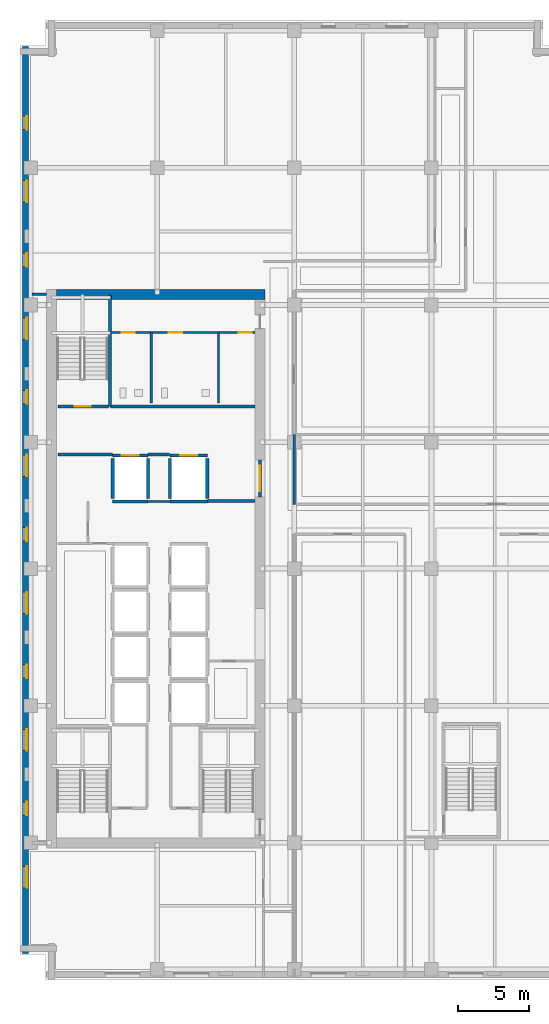
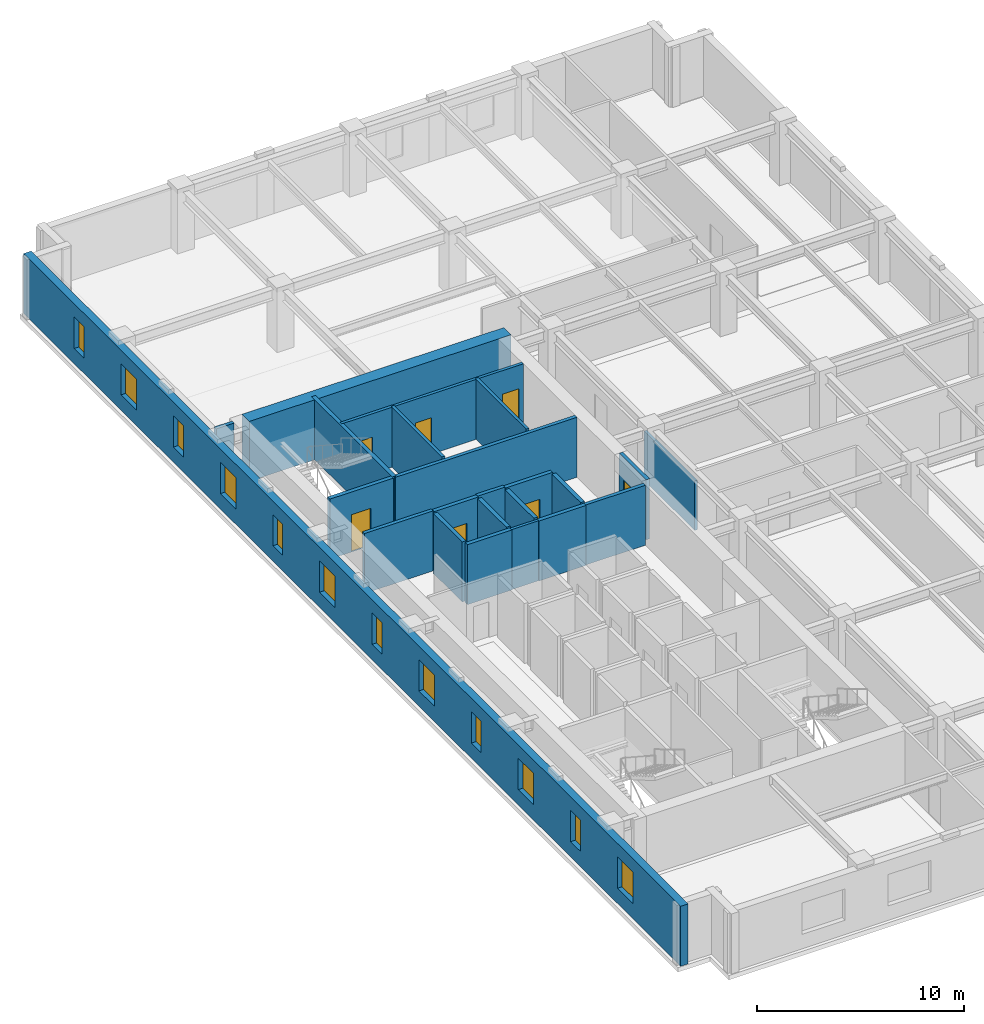
# One storey, part 6 of 14: 23 walls, 12 windows, 7 doors, 19 openings.
"""IFC4 building model written with IfcOpenShell, lengths in metres."""

import ifcopenshell
import ifcopenshell.guid

model = None  # the IFC model being written
_history = None  # IfcOwnerHistory: only IFC2X3 demands one
_inside = {}  # id of a spatial element -> (the spatial element, [elements in it])
_under = {}  # id of a project, library or spatial element -> (it, [spatial elements below it])
_declared = {}  # id of a project -> (the project, [libraries it declares])
_typed = {}  # id of a type object -> (the type object, [elements of that type])
_made_of = {}  # id of a material, layer set ... -> (it, [elements and type objects made of it])


def new_model(schema):
    """Start an empty IFC model of exactly this schema.

    Asked for "IFC4X3", IfcOpenShell would pick the latest addendum, in which some entities
    have other attributes; the version numbers below select the first issue.
    IFC2X3 requires an IfcOwnerHistory on every rooted entity: one is made here for all.
    """
    global model, _history
    if schema == "IFC4X3":
        model = ifcopenshell.file(schema_version=(4, 3, 0, 0))
    else:
        model = ifcopenshell.file(schema=schema)
    _inside.clear()
    _under.clear()
    _declared.clear()
    _typed.clear()
    _made_of.clear()
    _history = None
    if model.schema == "IFC2X3":
        org = make("IfcOrganization", Name="unknown")
        user = make(
            "IfcPersonAndOrganization",
            ThePerson=make("IfcPerson", FamilyName="unknown"),
            TheOrganization=org,
        )
        app = make(
            "IfcApplication",
            ApplicationDeveloper=org,
            Version="unknown",
            ApplicationFullName="unknown",
            ApplicationIdentifier="unknown",
        )
        _history = make(
            "IfcOwnerHistory",
            OwningUser=user,
            OwningApplication=app,
            ChangeAction="ADDED",
            CreationDate=0,
        )
    return model


def make(cls, **values):
    """One entity of the class cls with the attributes given. An attribute that is None is left unset."""
    return model.create_entity(
        cls, **{name: value for name, value in values.items() if value is not None}
    )


def rooted(cls, **values):
    """An entity with a GlobalId (a new one), such as an element, a storey or a relation."""
    return make(cls, GlobalId=ifcopenshell.guid.new(), OwnerHistory=_history, **values)


def si_unit(unit_type, name, prefix=None):
    """IfcSIUnit, for example si_unit("LENGTHUNIT", "METRE", prefix="MILLI")."""
    return make("IfcSIUnit", UnitType=unit_type, Prefix=prefix, Name=name)


def assignment(units):
    """IfcUnitAssignment: the units of a project."""
    return None if units is None else make("IfcUnitAssignment", Units=units)


def point(xyz):
    """IfcCartesianPoint."""
    return None if xyz is None else make("IfcCartesianPoint", Coordinates=xyz)


def direction(xyz):
    """IfcDirection."""
    return None if xyz is None else make("IfcDirection", DirectionRatios=xyz)


def frame(location, z_axis=None, x_axis=None):
    """IfcAxis2Placement3D, a coordinate frame: its origin and axes. An axis left out is left unset."""
    return make(
        "IfcAxis2Placement3D",
        Location=point(location),
        Axis=direction(z_axis),
        RefDirection=direction(x_axis),
    )


def frame_2d(location, x_axis=None):
    """IfcAxis2Placement2D, a coordinate frame in the plane: its origin and x axis."""
    return make(
        "IfcAxis2Placement2D", Location=point(location), RefDirection=direction(x_axis)
    )


def origin():
    """The frame at (0, 0, 0) with its axes left unset."""
    return frame((0.0, 0.0, 0.0))


def place(relative_to, where):
    """IfcLocalPlacement: puts the frame where relative to a parent placement (None: the world)."""
    return make(
        "IfcLocalPlacement", PlacementRelTo=relative_to, RelativePlacement=where
    )


def context(
    kind, dimensions, precision=None, world=None, true_north=None, identifier=None
):
    """IfcGeometricRepresentationContext, for example the 3D "Model" context."""
    return make(
        "IfcGeometricRepresentationContext",
        ContextIdentifier=identifier,
        ContextType=kind,
        CoordinateSpaceDimension=dimensions,
        Precision=precision,
        WorldCoordinateSystem=world,
        TrueNorth=true_north,
    )


def subcontext(parent, identifier, kind, view, scale=None):
    """IfcGeometricRepresentationSubContext, for example "Body" below "Model"."""
    return make(
        "IfcGeometricRepresentationSubContext",
        ContextIdentifier=identifier,
        ContextType=kind,
        ParentContext=parent,
        TargetScale=scale,
        TargetView=view,
    )


def project(units=None, contexts=None):
    """IfcProject with its units and contexts."""
    return rooted(
        "IfcProject",
        Name="project",
        RepresentationContexts=contexts,
        UnitsInContext=assignment(units),
    )


def spatial(cls, under=None, at=None, **own):
    """A site, building, storey or space (cls), placed at a placement, below another one or the project."""
    s = rooted(cls, ObjectPlacement=at, **own)
    if under is not None:
        _under.setdefault(under.id(), (under, []))[1].append(s)
    return s


def profile(cls, at=None, kind="AREA", **sizes):
    """A parametric profile (cls). Its sizes go by their IFC names, for example OverallWidth=200.0."""
    return make(cls, ProfileType=kind, Position=at, **sizes)


def rectangle(**sizes):
    """IfcRectangleProfileDef."""
    return profile("IfcRectangleProfileDef", **sizes)


def extrude(swept, where, along, depth):
    """IfcExtrudedAreaSolid: the profile swept, set in the frame where, extruded along a direction by depth."""
    return make(
        "IfcExtrudedAreaSolid",
        SweptArea=swept,
        Position=where,
        ExtrudedDirection=direction(along),
        Depth=depth,
    )


def shape(context_of_items, identifier, shape_type, items):
    """IfcShapeRepresentation: the items that make up one representation, for example the "Body"."""
    return make(
        "IfcShapeRepresentation",
        ContextOfItems=context_of_items,
        RepresentationIdentifier=identifier,
        RepresentationType=shape_type,
        Items=items,
    )


def material(Name=None, Category=None):
    """IfcMaterial."""
    return make("IfcMaterial", Name=Name, Category=Category)


def layer(
    of_material, thickness, ventilated=None, Name=None, Category=None, Priority=None
):
    """IfcMaterialLayer: one layer of a wall or slab, of a material (None: an air gap)."""
    return make(
        "IfcMaterialLayer",
        Material=of_material,
        LayerThickness=thickness,
        IsVentilated=ventilated,
        Name=Name,
        Category=Category,
        Priority=Priority,
    )


def layer_set(layers, Name=None):
    """IfcMaterialLayerSet."""
    return make("IfcMaterialLayerSet", MaterialLayers=layers, LayerSetName=Name)


def made_of(thing, what):
    """Note that an element or type object is made of a material, layer set ...; save() writes the relation."""
    if what is not None:
        _made_of.setdefault(what.id(), (what, []))[1].append(thing)
    return thing


def type_object(cls, material=None, **own):
    """A type object (cls), such as IfcWallType, which elements share."""
    return made_of(rooted(cls, **own), material)


def element(
    cls,
    number,
    at=None,
    inside=None,
    cuts=None,
    type_object=None,
    material=None,
    context=None,
    identifier="Body",
    shape_type=None,
    held_by="IfcProductDefinitionShape",
    body=None,
    shapes=None,
    **own,
):
    """One element of the class cls, such as IfcWall. Its Tag is "e" and its number.

    at: its placement. inside: the storey or other place that contains it. cuts: it is an
    opening in that element (IfcRelVoidsElement). A single representation is given by context,
    identifier, shape_type and body (its items); several are given by shapes. held_by: the class
    of the entity that holds the representations. save() writes the other relations.
    """
    e = rooted(cls, Tag="e%d" % number, ObjectPlacement=at, **own)
    if body is not None:
        shapes = [shape(context, identifier, shape_type, body)]
    if shapes is not None:
        e.Representation = make(held_by, Representations=shapes)
    if inside is not None:
        _inside.setdefault(inside.id(), (inside, []))[1].append(e)
    if cuts is not None:
        rooted(
            "IfcRelVoidsElement", RelatingBuildingElement=cuts, RelatedOpeningElement=e
        )
    if type_object is not None:
        _typed.setdefault(type_object.id(), (type_object, []))[1].append(e)
    return made_of(e, material)


def fill(opening, filler):
    """IfcRelFillsElement: the door or window that sits in an opening."""
    return rooted(
        "IfcRelFillsElement",
        RelatingOpeningElement=opening,
        RelatedBuildingElement=filler,
    )


def aggregate(whole, parts):
    """IfcRelAggregates: a whole, such as a stair, and the parts it consists of."""
    return rooted("IfcRelAggregates", RelatingObject=whole, RelatedObjects=parts)


def save(model, path):
    """Write the relations noted so far, then the file.

    IfcRelAggregates (storeys below a building ...), IfcRelContainedInSpatialStructure (elements
    in a storey), IfcRelDefinesByType, IfcRelAssociatesMaterial and IfcRelDeclares: one each for
    every whole, place, type object, material and project.
    """
    for whole, parts in _under.values():
        aggregate(whole, parts)
    for where, things in _inside.values():
        rooted(
            "IfcRelContainedInSpatialStructure",
            RelatedElements=things,
            RelatingStructure=where,
        )
    for kind, things in _typed.values():
        rooted("IfcRelDefinesByType", RelatedObjects=things, RelatingType=kind)
    for what, things in _made_of.values():
        rooted("IfcRelAssociatesMaterial", RelatedObjects=things, RelatingMaterial=what)
    for by, libraries in _declared.values():
        rooted("IfcRelDeclares", RelatingContext=by, RelatedDefinitions=libraries)
    model.write(path)


model = new_model("IFC4")

# Units and contexts
model_context = context("Model", 3, precision=1e-05, world=origin(), true_north=direction((0.0, 1.0)))
body_context = subcontext(model_context, "Body", "Model", "MODEL_VIEW")
ifc_project = project(units=[si_unit("LENGTHUNIT", "METRE"), si_unit("AREAUNIT", "SQUARE_METRE"), si_unit("VOLUMEUNIT", "CUBIC_METRE"), si_unit("PLANEANGLEUNIT", "RADIAN"), si_unit("MASSUNIT", "GRAM", prefix="KILO")], contexts=[model_context])

# Site, building, storey
site_placement = place(None, origin())
site = spatial("IfcSite", under=ifc_project, at=site_placement, CompositionType="ELEMENT")
building_placement = place(site_placement, origin())
building = spatial("IfcBuilding", under=site, at=building_placement, Name="Norrvale University Quadrangle", CompositionType="ELEMENT")
storey_placement = place(building_placement, frame((0.0, 0.0, 156.0)))
storey = spatial("IfcBuildingStorey", under=building, at=storey_placement, Name="L39", CompositionType="ELEMENT", Elevation=156.0)

# Wall, openings, windows
ifc_material_1 = material(Name="Buff Norman Clay Brick Masonry", Category="masonry")
ifc_layer_1 = layer(ifc_material_1, 0.419921875, Name="Buff Norman Clay Brick Masonry")
ifc_layer_set_1 = layer_set([ifc_layer_1], Name="Buff Norman Clay Brick Masonry")
wall_type_1 = type_object("IfcWallType", Name="Wall Buff Brick 420", PredefinedType="SOLIDWALL", material=ifc_layer_set_1)
wall_1_placement = place(storey_placement, frame((0.389892578125, 65.360107421875, 0.0), z_axis=(0.0, 0.0, 1.0), x_axis=(0.0, -1.0, 0.0)))
wall_1 = element("IfcWall", 1, at=wall_1_placement, inside=storey, type_object=wall_type_1, Name="Exterior Brick Facade Wall L39-14.1", PredefinedType="SOLIDWALL", context=body_context, shape_type="SweptSolid", body=[
    extrude(rectangle(XDim=63.52001953125, YDim=0.419921875, at=frame_2d((31.760009765625, 0.0))), origin(), (0.0, 0.0, 1.0), 3.5400390625),
])
opening_1_placement = place(wall_1_placement, frame((4.885009765625, 0.0, 0.89990234375)))
opening_1 = element("IfcOpeningElement", 2, at=opening_1_placement, cuts=wall_1, Name="Opening W04", PredefinedType="OPENING", context=body_context, shape_type="SweptSolid", body=[
    extrude(rectangle(XDim=0.949951171875, YDim=1.85009765625, at=frame_2d((0.47509765625, 0.925048828125))), frame((0.0, 0.221923828125, 0.0), z_axis=(0.0, -1.0, 0.0), x_axis=(1.0, 0.0, 0.0)), (0.0, 0.0, 1.0), 0.44384765625),
])
opening_2_placement = place(wall_1_placement, frame((9.409912109375, 0.0, 0.89990234375)))
opening_2 = element("IfcOpeningElement", 3, at=opening_2_placement, cuts=wall_1, Name="Opening W03", PredefinedType="OPENING", context=body_context, shape_type="SweptSolid", body=[
    extrude(rectangle(XDim=1.5, YDim=1.85009765625, at=frame_2d((0.75, 0.925048828125))), frame((0.0, 0.221923828125, 0.0), z_axis=(0.0, -1.0, 0.0), x_axis=(1.0, 0.0, 0.0)), (0.0, 0.0, 1.0), 0.44384765625),
])
opening_3_placement = place(wall_1_placement, frame((14.485107421875, 0.0, 0.89990234375)))
opening_3 = element("IfcOpeningElement", 4, at=opening_3_placement, cuts=wall_1, Name="Opening W04", PredefinedType="OPENING", context=body_context, shape_type="SweptSolid", body=[
    extrude(rectangle(XDim=0.949951171875, YDim=1.85009765625, at=frame_2d((0.47509765625, 0.925048828125))), frame((0.0, 0.221923828125, 0.0), z_axis=(0.0, -1.0, 0.0), x_axis=(1.0, 0.0, 0.0)), (0.0, 0.0, 1.0), 0.44384765625),
])
opening_4_placement = place(wall_1_placement, frame((19.010009765625, 0.0, 0.89990234375)))
opening_4 = element("IfcOpeningElement", 5, at=opening_4_placement, cuts=wall_1, Name="Opening W03", PredefinedType="OPENING", context=body_context, shape_type="SweptSolid", body=[
    extrude(rectangle(XDim=1.5, YDim=1.85009765625, at=frame_2d((0.75, 0.925048828125))), frame((0.0, 0.221923828125, 0.0), z_axis=(0.0, -1.0, 0.0), x_axis=(1.0, 0.0, 0.0)), (0.0, 0.0, 1.0), 0.44384765625),
])
opening_5_placement = place(wall_1_placement, frame((24.0849609375, 0.0, 0.89990234375)))
opening_5 = element("IfcOpeningElement", 6, at=opening_5_placement, cuts=wall_1, Name="Opening W04", PredefinedType="OPENING", context=body_context, shape_type="SweptSolid", body=[
    extrude(rectangle(XDim=0.949951171875, YDim=1.85009765625, at=frame_2d((0.47509765625, 0.925048828125))), frame((0.0, 0.221923828125, 0.0), z_axis=(0.0, -1.0, 0.0), x_axis=(1.0, 0.0, 0.0)), (0.0, 0.0, 1.0), 0.44384765625),
])
opening_6_placement = place(wall_1_placement, frame((28.610107421875, 0.0, 0.89990234375)))
opening_6 = element("IfcOpeningElement", 7, at=opening_6_placement, cuts=wall_1, Name="Opening W03", PredefinedType="OPENING", context=body_context, shape_type="SweptSolid", body=[
    extrude(rectangle(XDim=1.5, YDim=1.85009765625, at=frame_2d((0.75, 0.925048828125))), frame((0.0, 0.221923828125, 0.0), z_axis=(0.0, -1.0, 0.0), x_axis=(1.0, 0.0, 0.0)), (0.0, 0.0, 1.0), 0.44384765625),
])
opening_7_placement = place(wall_1_placement, frame((33.68505859375, 0.0, 0.89990234375)))
opening_7 = element("IfcOpeningElement", 8, at=opening_7_placement, cuts=wall_1, Name="Opening W04", PredefinedType="OPENING", context=body_context, shape_type="SweptSolid", body=[
    extrude(rectangle(XDim=0.949951171875, YDim=1.85009765625, at=frame_2d((0.47509765625, 0.925048828125))), frame((0.0, 0.221923828125, 0.0), z_axis=(0.0, -1.0, 0.0), x_axis=(1.0, 0.0, 0.0)), (0.0, 0.0, 1.0), 0.44384765625),
])
opening_8_placement = place(wall_1_placement, frame((38.2099609375, 0.0, 0.89990234375)))
opening_8 = element("IfcOpeningElement", 9, at=opening_8_placement, cuts=wall_1, Name="Opening W03", PredefinedType="OPENING", context=body_context, shape_type="SweptSolid", body=[
    extrude(rectangle(XDim=1.5, YDim=1.85009765625, at=frame_2d((0.75, 0.925048828125))), frame((0.0, 0.221923828125, 0.0), z_axis=(0.0, -1.0, 0.0), x_axis=(1.0, 0.0, 0.0)), (0.0, 0.0, 1.0), 0.44384765625),
])
opening_9_placement = place(wall_1_placement, frame((43.284912109375, 0.0, 0.89990234375)))
opening_9 = element("IfcOpeningElement", 10, at=opening_9_placement, cuts=wall_1, Name="Opening W04", PredefinedType="OPENING", context=body_context, shape_type="SweptSolid", body=[
    extrude(rectangle(XDim=0.949951171875, YDim=1.85009765625, at=frame_2d((0.47509765625, 0.925048828125))), frame((0.0, 0.221923828125, 0.0), z_axis=(0.0, -1.0, 0.0), x_axis=(1.0, 0.0, 0.0)), (0.0, 0.0, 1.0), 0.44384765625),
])
opening_10_placement = place(wall_1_placement, frame((47.81005859375, 0.0, 0.89990234375)))
opening_10 = element("IfcOpeningElement", 11, at=opening_10_placement, cuts=wall_1, Name="Opening W03", PredefinedType="OPENING", context=body_context, shape_type="SweptSolid", body=[
    extrude(rectangle(XDim=1.5, YDim=1.85009765625, at=frame_2d((0.75, 0.925048828125))), frame((0.0, 0.221923828125, 0.0), z_axis=(0.0, -1.0, 0.0), x_axis=(1.0, 0.0, 0.0)), (0.0, 0.0, 1.0), 0.44384765625),
])
opening_11_placement = place(wall_1_placement, frame((52.885009765625, 0.0, 0.89990234375)))
opening_11 = element("IfcOpeningElement", 12, at=opening_11_placement, cuts=wall_1, Name="Opening W04", PredefinedType="OPENING", context=body_context, shape_type="SweptSolid", body=[
    extrude(rectangle(XDim=0.949951171875, YDim=1.85009765625, at=frame_2d((0.47509765625, 0.925048828125))), frame((0.0, 0.221923828125, 0.0), z_axis=(0.0, -1.0, 0.0), x_axis=(1.0, 0.0, 0.0)), (0.0, 0.0, 1.0), 0.44384765625),
])
opening_12_placement = place(wall_1_placement, frame((57.409912109375, 0.0, 0.89990234375)))
opening_12 = element("IfcOpeningElement", 13, at=opening_12_placement, cuts=wall_1, Name="Opening W03", PredefinedType="OPENING", context=body_context, shape_type="SweptSolid", body=[
    extrude(rectangle(XDim=1.5, YDim=1.85009765625, at=frame_2d((0.75, 0.925048828125))), frame((0.0, 0.221923828125, 0.0), z_axis=(0.0, -1.0, 0.0), x_axis=(1.0, 0.0, 0.0)), (0.0, 0.0, 1.0), 0.44384765625),
])
ifc_material_2 = material(Name="Triple Low-E Argon Glazing", Category="glass")
window_type_1 = type_object("IfcWindowType", Name="Window Narrow Pier 950x2300", PartitioningType="SINGLE_PANEL", PredefinedType="WINDOW", material=ifc_material_2)
window_1_placement = place(opening_1_placement, origin())
window_1 = element("IfcWindow", 14, at=window_1_placement, inside=storey, type_object=window_type_1, Name="Window Narrow Pier 950x2300 WIN-L39-E14-1-01", OverallHeight=1.85009765625, OverallWidth=0.949951171875, PartitioningType="SINGLE_PANEL", PredefinedType="WINDOW", context=body_context, shape_type="SweptSolid", body=[
    extrude(rectangle(XDim=0.949951171875, YDim=1.85009765625, at=frame_2d((0.47509765625, 0.925048828125))), frame((0.0, 0.110107421875, 0.0), z_axis=(0.0, -1.0, 0.0), x_axis=(1.0, 0.0, 0.0)), (0.0, 0.0, 1.0), 0.06005859375),
])
fill(opening_1, window_1)
window_2_placement = place(opening_3_placement, origin())
window_2 = element("IfcWindow", 15, at=window_2_placement, inside=storey, type_object=window_type_1, Name="Window Narrow Pier 950x2300 WIN-L39-E14-1-03", OverallHeight=1.85009765625, OverallWidth=0.949951171875, PartitioningType="SINGLE_PANEL", PredefinedType="WINDOW", context=body_context, shape_type="SweptSolid", body=[
    extrude(rectangle(XDim=0.949951171875, YDim=1.85009765625, at=frame_2d((0.47509765625, 0.925048828125))), frame((0.0, 0.110107421875, 0.0), z_axis=(0.0, -1.0, 0.0), x_axis=(1.0, 0.0, 0.0)), (0.0, 0.0, 1.0), 0.06005859375),
])
fill(opening_3, window_2)
window_3_placement = place(opening_5_placement, origin())
window_3 = element("IfcWindow", 16, at=window_3_placement, inside=storey, type_object=window_type_1, Name="Window Narrow Pier 950x2300 WIN-L39-E14-1-05", OverallHeight=1.85009765625, OverallWidth=0.949951171875, PartitioningType="SINGLE_PANEL", PredefinedType="WINDOW", context=body_context, shape_type="SweptSolid", body=[
    extrude(rectangle(XDim=0.949951171875, YDim=1.85009765625, at=frame_2d((0.47509765625, 0.925048828125))), frame((0.0, 0.110107421875, 0.0), z_axis=(0.0, -1.0, 0.0), x_axis=(1.0, 0.0, 0.0)), (0.0, 0.0, 1.0), 0.06005859375),
])
fill(opening_5, window_3)
window_4_placement = place(opening_7_placement, origin())
window_4 = element("IfcWindow", 17, at=window_4_placement, inside=storey, type_object=window_type_1, Name="Window Narrow Pier 950x2300 WIN-L39-E14-1-07", OverallHeight=1.85009765625, OverallWidth=0.949951171875, PartitioningType="SINGLE_PANEL", PredefinedType="WINDOW", context=body_context, shape_type="SweptSolid", body=[
    extrude(rectangle(XDim=0.949951171875, YDim=1.85009765625, at=frame_2d((0.47509765625, 0.925048828125))), frame((0.0, 0.110107421875, 0.0), z_axis=(0.0, -1.0, 0.0), x_axis=(1.0, 0.0, 0.0)), (0.0, 0.0, 1.0), 0.06005859375),
])
fill(opening_7, window_4)
window_5_placement = place(opening_9_placement, origin())
window_5 = element("IfcWindow", 18, at=window_5_placement, inside=storey, type_object=window_type_1, Name="Window Narrow Pier 950x2300 WIN-L39-E14-1-09", OverallHeight=1.85009765625, OverallWidth=0.949951171875, PartitioningType="SINGLE_PANEL", PredefinedType="WINDOW", context=body_context, shape_type="SweptSolid", body=[
    extrude(rectangle(XDim=0.949951171875, YDim=1.85009765625, at=frame_2d((0.47509765625, 0.925048828125))), frame((0.0, 0.110107421875, 0.0), z_axis=(0.0, -1.0, 0.0), x_axis=(1.0, 0.0, 0.0)), (0.0, 0.0, 1.0), 0.06005859375),
])
fill(opening_9, window_5)
window_6_placement = place(opening_11_placement, origin())
window_6 = element("IfcWindow", 19, at=window_6_placement, inside=storey, type_object=window_type_1, Name="Window Narrow Pier 950x2300 WIN-L39-E14-1-11", OverallHeight=1.85009765625, OverallWidth=0.949951171875, PartitioningType="SINGLE_PANEL", PredefinedType="WINDOW", context=body_context, shape_type="SweptSolid", body=[
    extrude(rectangle(XDim=0.949951171875, YDim=1.85009765625, at=frame_2d((0.47509765625, 0.925048828125))), frame((0.0, 0.110107421875, 0.0), z_axis=(0.0, -1.0, 0.0), x_axis=(1.0, 0.0, 0.0)), (0.0, 0.0, 1.0), 0.06005859375),
])
fill(opening_11, window_6)
window_type_2 = type_object("IfcWindowType", Name="Window Studio 1500x2300", PartitioningType="DOUBLE_PANEL_VERTICAL", PredefinedType="WINDOW", material=ifc_material_2)
window_7_placement = place(opening_2_placement, origin())
window_7 = element("IfcWindow", 20, at=window_7_placement, inside=storey, type_object=window_type_2, Name="Window Studio 1500x2300 WIN-L39-E14-1-02", OverallHeight=1.85009765625, OverallWidth=1.5, PartitioningType="DOUBLE_PANEL_VERTICAL", PredefinedType="WINDOW", context=body_context, shape_type="SweptSolid", body=[
    extrude(rectangle(XDim=1.5, YDim=1.85009765625, at=frame_2d((0.75, 0.925048828125))), frame((0.0, 0.110107421875, 0.0), z_axis=(0.0, -1.0, 0.0), x_axis=(1.0, 0.0, 0.0)), (0.0, 0.0, 1.0), 0.06005859375),
])
fill(opening_2, window_7)
window_8_placement = place(opening_4_placement, origin())
window_8 = element("IfcWindow", 21, at=window_8_placement, inside=storey, type_object=window_type_2, Name="Window Studio 1500x2300 WIN-L39-E14-1-04", OverallHeight=1.85009765625, OverallWidth=1.5, PartitioningType="DOUBLE_PANEL_VERTICAL", PredefinedType="WINDOW", context=body_context, shape_type="SweptSolid", body=[
    extrude(rectangle(XDim=1.5, YDim=1.85009765625, at=frame_2d((0.75, 0.925048828125))), frame((0.0, 0.110107421875, 0.0), z_axis=(0.0, -1.0, 0.0), x_axis=(1.0, 0.0, 0.0)), (0.0, 0.0, 1.0), 0.06005859375),
])
fill(opening_4, window_8)
window_9_placement = place(opening_6_placement, origin())
window_9 = element("IfcWindow", 22, at=window_9_placement, inside=storey, type_object=window_type_2, Name="Window Studio 1500x2300 WIN-L39-E14-1-06", OverallHeight=1.85009765625, OverallWidth=1.5, PartitioningType="DOUBLE_PANEL_VERTICAL", PredefinedType="WINDOW", context=body_context, shape_type="SweptSolid", body=[
    extrude(rectangle(XDim=1.5, YDim=1.85009765625, at=frame_2d((0.75, 0.925048828125))), frame((0.0, 0.110107421875, 0.0), z_axis=(0.0, -1.0, 0.0), x_axis=(1.0, 0.0, 0.0)), (0.0, 0.0, 1.0), 0.06005859375),
])
fill(opening_6, window_9)
window_10_placement = place(opening_8_placement, origin())
window_10 = element("IfcWindow", 23, at=window_10_placement, inside=storey, type_object=window_type_2, Name="Window Studio 1500x2300 WIN-L39-E14-1-08", OverallHeight=1.85009765625, OverallWidth=1.5, PartitioningType="DOUBLE_PANEL_VERTICAL", PredefinedType="WINDOW", context=body_context, shape_type="SweptSolid", body=[
    extrude(rectangle(XDim=1.5, YDim=1.85009765625, at=frame_2d((0.75, 0.925048828125))), frame((0.0, 0.110107421875, 0.0), z_axis=(0.0, -1.0, 0.0), x_axis=(1.0, 0.0, 0.0)), (0.0, 0.0, 1.0), 0.06005859375),
])
fill(opening_8, window_10)
window_11_placement = place(opening_10_placement, origin())
window_11 = element("IfcWindow", 24, at=window_11_placement, inside=storey, type_object=window_type_2, Name="Window Studio 1500x2300 WIN-L39-E14-1-10", OverallHeight=1.85009765625, OverallWidth=1.5, PartitioningType="DOUBLE_PANEL_VERTICAL", PredefinedType="WINDOW", context=body_context, shape_type="SweptSolid", body=[
    extrude(rectangle(XDim=1.5, YDim=1.85009765625, at=frame_2d((0.75, 0.925048828125))), frame((0.0, 0.110107421875, 0.0), z_axis=(0.0, -1.0, 0.0), x_axis=(1.0, 0.0, 0.0)), (0.0, 0.0, 1.0), 0.06005859375),
])
fill(opening_10, window_11)
window_12_placement = place(opening_12_placement, origin())
window_12 = element("IfcWindow", 25, at=window_12_placement, inside=storey, type_object=window_type_2, Name="Window Studio 1500x2300 WIN-L39-E14-1-12", OverallHeight=1.85009765625, OverallWidth=1.5, PartitioningType="DOUBLE_PANEL_VERTICAL", PredefinedType="WINDOW", context=body_context, shape_type="SweptSolid", body=[
    extrude(rectangle(XDim=1.5, YDim=1.85009765625, at=frame_2d((0.75, 0.925048828125))), frame((0.0, 0.110107421875, 0.0), z_axis=(0.0, -1.0, 0.0), x_axis=(1.0, 0.0, 0.0)), (0.0, 0.0, 1.0), 0.06005859375),
])
fill(opening_12, window_12)

# Walls
ifc_material_3 = material(Name="Concrete C60/75", Category="concrete")
ifc_layer_2 = layer(ifc_material_3, 0.699951171875, Name="Concrete C60/75")
ifc_layer_set_2 = layer_set([ifc_layer_2], Name="Concrete C60/75")
wall_type_2 = type_object("IfcWallType", Name="Wall Core 700", PredefinedType="SHEAR", material=ifc_layer_set_2)
wall_2_placement = place(storey_placement, frame((2.550048828125, 48.0, 0.0), z_axis=(0.0, 0.0, 1.0), x_axis=(1.0, 0.0, 0.0)))
element("IfcWall", 26, at=wall_2_placement, inside=storey, type_object=wall_type_2, Name="Tower Core Shear Wall L39-N", PredefinedType="SHEAR", context=body_context, shape_type="SweptSolid", body=[
    extrude(rectangle(XDim=14.599853515625, YDim=0.699951171875, at=frame_2d((7.2998046875, 0.0))), origin(), (0.0, 0.0, 1.0), 3.5400390625),
])
ifc_material_4 = material(Name="Fire-Rated Gypsum Stud Partition")
ifc_layer_3 = layer(ifc_material_4, 0.14990234375, Name="Fire-Rated Gypsum Stud Partition")
ifc_layer_set_3 = layer_set([ifc_layer_3], Name="Fire-Rated Gypsum Stud Partition")
wall_type_3 = type_object("IfcWallType", Name="Wall Gypsum Corridor 150", PredefinedType="PARTITIONING", material=ifc_layer_set_3)
wall_3_placement = place(storey_placement, frame((8.965087890625, 33.489990234375, 0.0), z_axis=(0.0, 0.0, 1.0), x_axis=(1.0, 0.0, 0.0)))
element("IfcWall", 27, at=wall_3_placement, inside=storey, type_object=wall_type_3, Name="Interior Partition WL-L39-LL3", PredefinedType="PARTITIONING", context=body_context, shape_type="SweptSolid", body=[
    extrude(rectangle(XDim=1.52001953125, YDim=0.14990234375, at=frame_2d((0.760009765625, 0.0))), origin(), (0.0, 0.0, 1.0), 3.5400390625),
])
wall_4_placement = place(storey_placement, frame((19.199951171875, 33.300048828125, 0.0), z_axis=(0.0, 0.0, 1.0), x_axis=(0.0, 1.0, 0.0)))
element("IfcWall", 28, at=wall_4_placement, inside=storey, type_object=wall_type_3, Name="Interior Partition WL-L39-ME-W", PredefinedType="PARTITIONING", context=body_context, shape_type="SweptSolid", body=[
    extrude(rectangle(XDim=4.8798828125, YDim=0.14990234375, at=frame_2d((2.43994140625, 0.0))), origin(), (0.0, 0.0, 1.0), 2.924072265625),
])

# Wall, openings, doors
ifc_material_5 = material(Name="Sanitary Chase Gypsum Partition")
ifc_layer_4 = layer(ifc_material_5, 0.1650390625, Name="Sanitary Chase Gypsum Partition")
ifc_layer_set_4 = layer_set([ifc_layer_4], Name="Sanitary Chase Gypsum Partition")
wall_type_4 = type_object("IfcWallType", Name="Wall Gypsum Sanitary 165", PredefinedType="PLUMBINGWALL", material=ifc_layer_set_4)
wall_5_placement = place(storey_placement, frame((6.320068359375, 45.320068359375, 0.0), z_axis=(0.0, 0.0, 1.0), x_axis=(1.0, 0.0, 0.0)))
wall_5 = element("IfcWall", 29, at=wall_5_placement, inside=storey, type_object=wall_type_4, Name="Interior Partition WL-L39-WCN", PredefinedType="PLUMBINGWALL", context=body_context, shape_type="SweptSolid", body=[
    extrude(rectangle(XDim=10.1298828125, YDim=0.1650390625, at=frame_2d((5.06494140625, 0.0))), origin(), (0.0, 0.0, 1.0), 3.5400390625),
])
opening_13_placement = place(wall_5_placement, frame((0.800048828125, 0.0, 0.0)))
opening_13 = element("IfcOpeningElement", 30, at=opening_13_placement, cuts=wall_5, Name="Opening D08", PredefinedType="OPENING", context=body_context, shape_type="SweptSolid", body=[
    extrude(rectangle(XDim=0.919921875, YDim=2.14990234375, at=frame_2d((0.4599609375, 1.074951171875))), frame((0.0, 0.094482421875, 0.0), z_axis=(0.0, -1.0, 0.0), x_axis=(1.0, 0.0, 0.0)), (0.0, 0.0, 1.0), 0.18896484375),
])
opening_14_placement = place(wall_5_placement, frame((4.10009765625, 0.0, 0.0)))
opening_14 = element("IfcOpeningElement", 31, at=opening_14_placement, cuts=wall_5, Name="Opening D08", PredefinedType="OPENING", context=body_context, shape_type="SweptSolid", body=[
    extrude(rectangle(XDim=0.919921875, YDim=2.14990234375, at=frame_2d((0.4599609375, 1.074951171875))), frame((0.0, 0.094482421875, 0.0), z_axis=(0.0, -1.0, 0.0), x_axis=(1.0, 0.0, 0.0)), (0.0, 0.0, 1.0), 0.18896484375),
])
opening_15_placement = place(wall_5_placement, frame((8.97998046875, 0.0, 0.0)))
opening_15 = element("IfcOpeningElement", 32, at=opening_15_placement, cuts=wall_5, Name="Opening D08", PredefinedType="OPENING", context=body_context, shape_type="SweptSolid", body=[
    extrude(rectangle(XDim=0.919921875, YDim=2.14990234375, at=frame_2d((0.4599609375, 1.074951171875))), frame((0.0, 0.094482421875, 0.0), z_axis=(0.0, -1.0, 0.0), x_axis=(1.0, 0.0, 0.0)), (0.0, 0.0, 1.0), 0.18896484375),
])
ifc_material_6 = material(Name="Laminate Washroom Door", Category="wood")
door_type_1 = type_object("IfcDoorType", Name="Door Washroom 920x2150", OperationType="NOTDEFINED", PredefinedType="DOOR", material=ifc_material_6)
door_1_placement = place(opening_13_placement, origin())
door_1 = element("IfcDoor", 33, at=door_1_placement, inside=storey, type_object=door_type_1, Name="Door Washroom 920x2150 DR-L39-WC1", OperationType="SINGLE_SWING_LEFT", OverallHeight=2.14990234375, OverallWidth=0.919921875, PredefinedType="DOOR", context=body_context, shape_type="SweptSolid", body=[
    extrude(rectangle(XDim=0.919921875, YDim=2.14990234375, at=frame_2d((0.4599609375, 1.074951171875))), frame((0.0, 0.02490234375, 0.0), z_axis=(0.0, -1.0, 0.0), x_axis=(1.0, 0.0, 0.0)), (0.0, 0.0, 1.0), 0.050048828125),
])
fill(opening_13, door_1)
door_2_placement = place(opening_14_placement, origin())
door_2 = element("IfcDoor", 34, at=door_2_placement, inside=storey, type_object=door_type_1, Name="Door Washroom 920x2150 DR-L39-WC2", OperationType="SINGLE_SWING_RIGHT", OverallHeight=2.14990234375, OverallWidth=0.919921875, PredefinedType="DOOR", context=body_context, shape_type="SweptSolid", body=[
    extrude(rectangle(XDim=0.919921875, YDim=2.14990234375, at=frame_2d((0.4599609375, 1.074951171875))), frame((0.0, 0.02490234375, 0.0), z_axis=(0.0, -1.0, 0.0), x_axis=(1.0, 0.0, 0.0)), (0.0, 0.0, 1.0), 0.050048828125),
])
fill(opening_14, door_2)
door_3_placement = place(opening_15_placement, origin())
door_3 = element("IfcDoor", 35, at=door_3_placement, inside=storey, type_object=door_type_1, Name="Door Washroom 920x2150 DR-L39-WC3", OperationType="SINGLE_SWING_LEFT", OverallHeight=2.14990234375, OverallWidth=0.919921875, PredefinedType="DOOR", context=body_context, shape_type="SweptSolid", body=[
    extrude(rectangle(XDim=0.919921875, YDim=2.14990234375, at=frame_2d((0.4599609375, 1.074951171875))), frame((0.0, 0.02490234375, 0.0), z_axis=(0.0, -1.0, 0.0), x_axis=(1.0, 0.0, 0.0)), (0.0, 0.0, 1.0), 0.050048828125),
])
fill(opening_15, door_3)

# Walls
for number, where, z_axis, x_axis, name in (
    (36, (9.199951171875, 40.39990234375, 0.0), (0.0, 0.0, 1.0), (0.0, 1.0, 0.0), "Interior Partition WL-L39-WCM1"),
    (37, (13.89990234375, 40.39990234375, 0.0), (0.0, 0.0, 1.0), (0.0, 1.0, 0.0), "Interior Partition WL-L39-WCM2"),
):
    element("IfcWall", number, at=place(storey_placement, frame(where, z_axis=z_axis, x_axis=x_axis)), inside=storey, type_object=wall_type_4, Name=name, PredefinedType="PLUMBINGWALL", context=body_context, shape_type="SweptSolid", body=[
        extrude(rectangle(XDim=4.920166015625, YDim=0.1650390625, at=frame_2d((2.4599609375, 0.0))), origin(), (0.0, 0.0, 1.0), 3.5400390625),
    ])
ifc_material_7 = material(Name="Concrete Blockwork 20 MPa Rated Wall", Category="masonry")
ifc_layer_5 = layer(ifc_material_7, 0.199951171875, Name="Concrete Blockwork 20 MPa Rated Wall")
ifc_layer_set_5 = layer_set([ifc_layer_5], Name="Concrete Blockwork 20 MPa Rated Wall")
wall_type_5 = type_object("IfcWallType", Name="Wall Lobby 200", PredefinedType="SOLIDWALL", material=ifc_layer_set_5)
wall_6_placement = place(storey_placement, frame((2.64990234375, 36.780029296875, 0.0), z_axis=(0.0, 0.0, 1.0), x_axis=(1.0, 0.0, 0.0)))
element("IfcWall", 38, at=wall_6_placement, inside=storey, type_object=wall_type_5, Name="Interior Partition WL-L39-FF1", PredefinedType="SOLIDWALL", context=body_context, shape_type="SweptSolid", body=[
    extrude(rectangle(XDim=3.830078125, YDim=0.199951171875, at=frame_2d((1.9150390625, 0.0))), origin(), (0.0, 0.0, 1.0), 3.5400390625),
])
wall_7_placement = place(storey_placement, frame((8.969970703125, 36.780029296875, 0.0), z_axis=(0.0, 0.0, 1.0), x_axis=(1.0, 0.0, 0.0)))
element("IfcWall", 39, at=wall_7_placement, inside=storey, type_object=wall_type_5, Name="Interior Partition WL-L39-FF2", PredefinedType="SOLIDWALL", context=body_context, shape_type="SweptSolid", body=[
    extrude(rectangle(XDim=1.510009765625, YDim=0.199951171875, at=frame_2d((0.7548828125, 0.0))), origin(), (0.0, 0.0, 1.0), 3.5400390625),
])
wall_8_placement = place(storey_placement, frame((13.1201171875, 33.52001953125, 0.0), z_axis=(0.0, 0.0, 1.0), x_axis=(1.0, 0.0, 0.0)))
element("IfcWall", 40, at=wall_8_placement, inside=storey, type_object=wall_type_5, Name="Interior Partition WL-L39-FF3", PredefinedType="SOLIDWALL", context=body_context, shape_type="SweptSolid", body=[
    extrude(rectangle(XDim=3.329833984375, YDim=0.199951171875, at=frame_2d((1.6650390625, 0.0))), origin(), (0.0, 0.0, 1.0), 3.5400390625),
])
wall_9_placement = place(storey_placement, frame((6.320068359375, 40.139892578125, 0.0), z_axis=(0.0, 0.0, 1.0), x_axis=(1.0, 0.0, 0.0)))
element("IfcWall", 41, at=wall_9_placement, inside=storey, type_object=wall_type_5, Name="Interior Partition WL-L39-FF4", PredefinedType="SOLIDWALL", context=body_context, shape_type="SweptSolid", body=[
    extrude(rectangle(XDim=10.1298828125, YDim=0.199951171875, at=frame_2d((5.06494140625, 0.0))), origin(), (0.0, 0.0, 1.0), 3.5400390625),
])

# Wall, opening, door
wall_10_placement = place(storey_placement, frame((16.800048828125, 33.800048828125, 0.0), z_axis=(0.0, 0.0, 1.0), x_axis=(0.0, 1.0, 0.0)))
wall_10 = element("IfcWall", 42, at=wall_10_placement, inside=storey, type_object=wall_type_5, Name="Interior Partition WL-L39-FFP", PredefinedType="SOLIDWALL", context=body_context, shape_type="SweptSolid", body=[
    extrude(rectangle(XDim=2.599853515625, YDim=0.199951171875, at=frame_2d((1.2998046875, 0.0))), origin(), (0.0, 0.0, 1.0), 3.5400390625),
])
opening_16_placement = place(wall_10_placement, frame((0.39990234375, 0.0, 0.0)))
opening_16 = element("IfcOpeningElement", 43, at=opening_16_placement, cuts=wall_10, Name="Opening D03", PredefinedType="OPENING", context=body_context, shape_type="SweptSolid", body=[
    extrude(rectangle(XDim=1.800048828125, YDim=2.199951171875, at=frame_2d((0.89990234375, 1.10009765625))), frame((0.0, 0.112060546875, 0.0), z_axis=(0.0, -1.0, 0.0), x_axis=(1.0, 0.0, 0.0)), (0.0, 0.0, 1.0), 0.223876953125),
])
ifc_material_8 = material(Name="Hollow Steel 350W Fire Door", Category="steel")
door_type_2 = type_object("IfcDoorType", Name="Door Fire Lobby 1800x2200", OperationType="DOUBLE_DOOR_SINGLE_SWING", PredefinedType="DOOR", material=ifc_material_8)
door_4_placement = place(opening_16_placement, origin())
door_4 = element("IfcDoor", 44, at=door_4_placement, inside=storey, type_object=door_type_2, Name="Door Fire Lobby 1800x2200 DR-L39-FFP", OperationType="DOUBLE_DOOR_SINGLE_SWING", OverallHeight=2.199951171875, OverallWidth=1.800048828125, PredefinedType="DOOR", context=body_context, shape_type="SweptSolid", body=[
    extrude(rectangle(XDim=1.800048828125, YDim=2.199951171875, at=frame_2d((0.89990234375, 1.10009765625))), frame((0.0, 0.02490234375, 0.0), z_axis=(0.0, -1.0, 0.0), x_axis=(1.0, 0.0, 0.0)), (0.0, 0.0, 1.0), 0.050048828125),
])
fill(opening_16, door_4)

# Wall
wall_11_placement = place(storey_placement, frame((0.85009765625, 48.0, 0.0), z_axis=(0.0, 0.0, 1.0), x_axis=(1.0, 0.0, 0.0)))
element("IfcWall", 45, at=wall_11_placement, inside=storey, type_object=wall_type_5, Name="Interior Partition WL-L39-CWRET-N", PredefinedType="SOLIDWALL", context=body_context, shape_type="SweptSolid", body=[
    extrude(rectangle(XDim=0.994873046875, YDim=0.199951171875, at=frame_2d((0.49755859375, 0.0))), origin(), (0.0, 0.0, 1.0), 3.5400390625),
])

# Wall, opening, door
ifc_material_9 = material(Name="Concrete Blockwork 20 MPa Fire Shaft", Category="masonry")
ifc_layer_6 = layer(ifc_material_9, 0.219970703125, Name="Concrete Blockwork 20 MPa Fire Shaft")
ifc_layer_set_6 = layer_set([ifc_layer_6], Name="Concrete Blockwork 20 MPa Fire Shaft")
wall_type_6 = type_object("IfcWallType", Name="Wall Shaft 220", PredefinedType="SOLIDWALL", material=ifc_layer_set_6)
wall_12_placement = place(storey_placement, frame((2.64990234375, 40.139892578125, 0.0), z_axis=(0.0, 0.0, 1.0), x_axis=(1.0, 0.0, 0.0)))
wall_12 = element("IfcWall", 46, at=wall_12_placement, inside=storey, type_object=wall_type_6, Name="Stair ST-02 South Shaft Wall L39", PredefinedType="SOLIDWALL", context=body_context, shape_type="SweptSolid", body=[
    extrude(rectangle(XDim=3.550048828125, YDim=0.219970703125, at=frame_2d((1.77490234375, 0.0))), origin(), (0.0, 0.0, 1.0), 3.5400390625),
])
opening_17_placement = place(wall_12_placement, frame((1.199951171875, 0.0, 0.0)))
opening_17 = element("IfcOpeningElement", 47, at=opening_17_placement, cuts=wall_12, Name="Opening D02", PredefinedType="OPENING", context=body_context, shape_type="SweptSolid", body=[
    extrude(rectangle(XDim=1.10009765625, YDim=2.199951171875, at=frame_2d((0.550048828125, 1.10009765625))), frame((0.0, 0.1220703125, 0.0), z_axis=(0.0, -1.0, 0.0), x_axis=(1.0, 0.0, 0.0)), (0.0, 0.0, 1.0), 0.243896484375),
])
door_type_3 = type_object("IfcDoorType", Name="Door Stair Exit 1100x2200", OperationType="NOTDEFINED", PredefinedType="DOOR", material=ifc_material_8)
door_5_placement = place(opening_17_placement, origin())
door_5 = element("IfcDoor", 48, at=door_5_placement, inside=storey, type_object=door_type_3, Name="Door Stair Exit 1100x2200 DR-L39-ST02", OperationType="SINGLE_SWING_LEFT", OverallHeight=2.199951171875, OverallWidth=1.10009765625, PredefinedType="DOOR", context=body_context, shape_type="SweptSolid", body=[
    extrude(rectangle(XDim=1.10009765625, YDim=2.199951171875, at=frame_2d((0.550048828125, 1.10009765625))), frame((0.0, 0.02490234375, 0.0), z_axis=(0.0, -1.0, 0.0), x_axis=(1.0, 0.0, 0.0)), (0.0, 0.0, 1.0), 0.050048828125),
])
fill(opening_17, door_5)

# Walls
wall_13_placement = place(storey_placement, frame((6.31005859375, 40.139892578125, 0.0), z_axis=(0.0, 0.0, 1.0), x_axis=(0.0, 1.0, 0.0)))
element("IfcWall", 49, at=wall_13_placement, inside=storey, type_object=wall_type_6, Name="Stair ST-02 East Shaft Wall L39", PredefinedType="SOLIDWALL", context=body_context, shape_type="SweptSolid", body=[
    extrude(rectangle(XDim=7.81005859375, YDim=0.219970703125, at=frame_2d((3.905029296875, 0.0))), origin(), (0.0, 0.0, 1.0), 3.5400390625),
])
for number, where, z_axis, x_axis, name in (
    (50, (6.489990234375, 33.7099609375, 0.0), (0.0, 0.0, 1.0), (0.0, 1.0, 0.0), "Hoistway FFL-01 West Wall L39"),
    (51, (8.9599609375, 33.7099609375, 0.0), (0.0, 0.0, 1.0), (0.0, 1.0, 0.0), "Hoistway FFL-01 East Wall L39"),
):
    element("IfcWall", number, at=place(storey_placement, frame(where, z_axis=z_axis, x_axis=x_axis)), inside=storey, type_object=wall_type_6, Name=name, PredefinedType="SOLIDWALL", context=body_context, shape_type="SweptSolid", body=[
        extrude(rectangle(XDim=2.780029296875, YDim=0.219970703125, at=frame_2d((1.39013671875, 0.0))), origin(), (0.0, 0.0, 1.0), 3.5400390625),
    ])
wall_14_placement = place(storey_placement, frame((6.489990234375, 33.489990234375, 0.0), z_axis=(0.0, 0.0, 1.0), x_axis=(1.0, 0.0, 0.0)))
element("IfcWall", 52, at=wall_14_placement, inside=storey, type_object=wall_type_6, Name="Hoistway FFL-01 South Wall L39", PredefinedType="SOLIDWALL", context=body_context, shape_type="SweptSolid", body=[
    extrude(rectangle(XDim=2.469970703125, YDim=0.219970703125, at=frame_2d((1.23486328125, 0.0))), origin(), (0.0, 0.0, 1.0), 3.5400390625),
])

# Wall, opening, door
wall_15_placement = place(storey_placement, frame((6.489990234375, 36.7099609375, 0.0), z_axis=(0.0, 0.0, 1.0), x_axis=(1.0, 0.0, 0.0)))
wall_15 = element("IfcWall", 53, at=wall_15_placement, inside=storey, type_object=wall_type_6, Name="Hoistway FFL-01 North Wall L39", PredefinedType="SOLIDWALL", context=body_context, shape_type="SweptSolid", body=[
    extrude(rectangle(XDim=2.469970703125, YDim=0.219970703125, at=frame_2d((1.23486328125, 0.0))), origin(), (0.0, 0.0, 1.0), 3.5400390625),
])
opening_18_placement = place(wall_15_placement, frame((0.635009765625, 0.0, 0.0)))
opening_18 = element("IfcOpeningElement", 54, at=opening_18_placement, cuts=wall_15, Name="Opening LD2", PredefinedType="OPENING", context=body_context, shape_type="SweptSolid", body=[
    extrude(rectangle(XDim=1.199951171875, YDim=2.199951171875, at=frame_2d((0.60009765625, 1.10009765625))), frame((0.0, 0.1220703125, 0.0), z_axis=(0.0, -1.0, 0.0), x_axis=(1.0, 0.0, 0.0)), (0.0, 0.0, 1.0), 0.243896484375),
])
ifc_material_10 = material(Name="Stainless Steel 316L Firefighter Lift Door", Category="steel")
door_type_4 = type_object("IfcDoorType", Name="Door Fire Lift 1200x2200", OperationType="DOUBLE_DOOR_SLIDING", PredefinedType="DOOR", material=ifc_material_10)
door_6_placement = place(opening_18_placement, origin())
door_6 = element("IfcDoor", 55, at=door_6_placement, inside=storey, type_object=door_type_4, Name="Elevator Landing Door DR-L39-FFL-01", OperationType="DOUBLE_DOOR_SLIDING", OverallHeight=2.199951171875, OverallWidth=1.199951171875, PredefinedType="DOOR", context=body_context, shape_type="SweptSolid", body=[
    extrude(rectangle(XDim=1.199951171875, YDim=2.199951171875, at=frame_2d((0.60009765625, 1.10009765625))), frame((0.0, 0.02490234375, 0.0), z_axis=(0.0, -1.0, 0.0), x_axis=(1.0, 0.0, 0.0)), (0.0, 0.0, 1.0), 0.050048828125),
])
fill(opening_18, door_6)

# Walls
for number, where, z_axis, x_axis, name in (
    (56, (10.489990234375, 33.7099609375, 0.0), (0.0, 0.0, 1.0), (0.0, 1.0, 0.0), "Hoistway FFL-02 West Wall L39"),
    (57, (13.110107421875, 33.7099609375, 0.0), (0.0, 0.0, 1.0), (0.0, 1.0, 0.0), "Hoistway FFL-02 East Wall L39"),
):
    element("IfcWall", number, at=place(storey_placement, frame(where, z_axis=z_axis, x_axis=x_axis)), inside=storey, type_object=wall_type_6, Name=name, PredefinedType="SOLIDWALL", context=body_context, shape_type="SweptSolid", body=[
        extrude(rectangle(XDim=2.780029296875, YDim=0.219970703125, at=frame_2d((1.39013671875, 0.0))), origin(), (0.0, 0.0, 1.0), 3.5400390625),
    ])
wall_16_placement = place(storey_placement, frame((10.489990234375, 33.489990234375, 0.0), z_axis=(0.0, 0.0, 1.0), x_axis=(1.0, 0.0, 0.0)))
element("IfcWall", 58, at=wall_16_placement, inside=storey, type_object=wall_type_6, Name="Hoistway FFL-02 South Wall L39", PredefinedType="SOLIDWALL", context=body_context, shape_type="SweptSolid", body=[
    extrude(rectangle(XDim=2.6201171875, YDim=0.219970703125, at=frame_2d((1.31005859375, 0.0))), origin(), (0.0, 0.0, 1.0), 3.5400390625),
])

# Wall, opening, door
wall_17_placement = place(storey_placement, frame((10.489990234375, 36.7099609375, 0.0), z_axis=(0.0, 0.0, 1.0), x_axis=(1.0, 0.0, 0.0)))
wall_17 = element("IfcWall", 59, at=wall_17_placement, inside=storey, type_object=wall_type_6, Name="Hoistway FFL-02 North Wall L39", PredefinedType="SOLIDWALL", context=body_context, shape_type="SweptSolid", body=[
    extrude(rectangle(XDim=2.6201171875, YDim=0.219970703125, at=frame_2d((1.31005859375, 0.0))), origin(), (0.0, 0.0, 1.0), 3.5400390625),
])
opening_19_placement = place(wall_17_placement, frame((0.7099609375, 0.0, 0.0)))
opening_19 = element("IfcOpeningElement", 60, at=opening_19_placement, cuts=wall_17, Name="Opening LD2", PredefinedType="OPENING", context=body_context, shape_type="SweptSolid", body=[
    extrude(rectangle(XDim=1.199951171875, YDim=2.199951171875, at=frame_2d((0.60009765625, 1.10009765625))), frame((0.0, 0.1220703125, 0.0), z_axis=(0.0, -1.0, 0.0), x_axis=(1.0, 0.0, 0.0)), (0.0, 0.0, 1.0), 0.243896484375),
])
door_7_placement = place(opening_19_placement, origin())
door_7 = element("IfcDoor", 61, at=door_7_placement, inside=storey, type_object=door_type_4, Name="Elevator Landing Door DR-L39-FFL-02", OperationType="DOUBLE_DOOR_SLIDING", OverallHeight=2.199951171875, OverallWidth=1.199951171875, PredefinedType="DOOR", context=body_context, shape_type="SweptSolid", body=[
    extrude(rectangle(XDim=1.199951171875, YDim=2.199951171875, at=frame_2d((0.60009765625, 1.10009765625))), frame((0.0, 0.02490234375, 0.0), z_axis=(0.0, -1.0, 0.0), x_axis=(1.0, 0.0, 0.0)), (0.0, 0.0, 1.0), 0.050048828125),
])
fill(opening_19, door_7)

save(model, "model.ifc")
